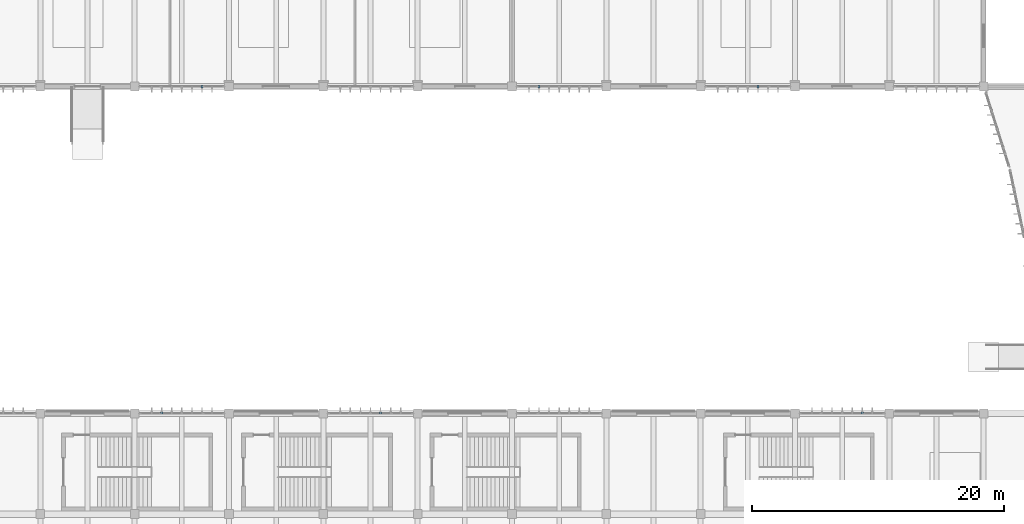
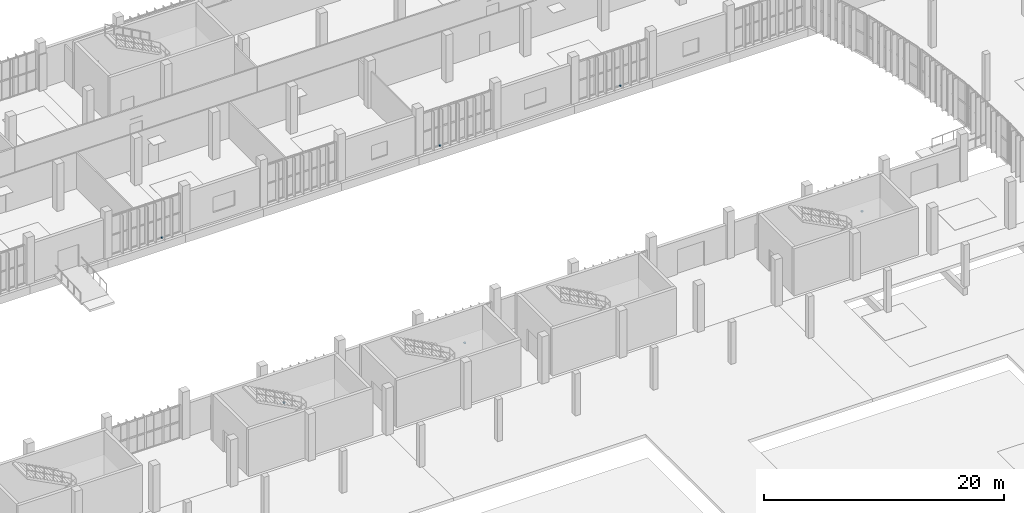
# One storey, part 56 of 72: 6 discrete accessories.
"""IFC4 building model written with IfcOpenShell, lengths in metres."""

from ifc_helpers import new_model, si_unit, direction, frame, origin, origin_2d, place, context, subcontext, project, spatial, rectangle, extrude, material, type_object, element, save


model = new_model("IFC4")

# Units and contexts
model_context = context("Model", 3, precision=1e-05, world=origin(), true_north=direction((0.0, 1.0)))
body_context = subcontext(model_context, "Body", "Model", "MODEL_VIEW")
ifc_project = project(units=[si_unit("LENGTHUNIT", "METRE"), si_unit("AREAUNIT", "SQUARE_METRE"), si_unit("VOLUMEUNIT", "CUBIC_METRE"), si_unit("PLANEANGLEUNIT", "RADIAN"), si_unit("MASSUNIT", "GRAM", prefix="KILO")], contexts=[model_context])

# Site, building, storey
site_placement = place(None, origin())
site = spatial("IfcSite", under=ifc_project, at=site_placement, CompositionType="ELEMENT")
building_placement = place(site_placement, origin())
building = spatial("IfcBuilding", under=site, at=building_placement, Name="Vourika Railside Aquatics Centre", CompositionType="ELEMENT")
storey_placement = place(building_placement, origin())
storey = spatial("IfcBuildingStorey", under=building, at=storey_placement, Name="L00", CompositionType="ELEMENT", Elevation=0.0)

# Discrete accessories
ifc_material = material(Name="Duplex stainless steel EN 1.4462", Category="steel")
discrete_accessory_type = type_object("IfcDiscreteAccessoryType", Name="ACC-BRK-180", PredefinedType="BRACKET", material=ifc_material)
for number, where, z_axis, x_axis, name in (
    (1, (68.14990234375, 66.030029296875, 0.0), (0.0, 0.0, 1.0), (0.0, 1.0, 0.0), "Stainless Fin Shoe Bracket BK-022"),
    (2, (85.550048828125, 66.030029296875, 0.0), (0.0, 0.0, 1.0), (0.0, 1.0, 0.0), "Stainless Fin Shoe Bracket BK-024"),
    (3, (123.85009765625, 66.030029296875, 0.0), (0.0, 0.0, 1.0), (0.0, 1.0, 0.0), "Stainless Fin Shoe Bracket BK-028"),
    (4, (71.35009765625, 91.969970703125, 0.0), (0.0, 0.0, 1.0), (0.0, -1.0, 0.0), "Stainless Fin Shoe Bracket BK-067"),
    (5, (98.14990234375, 91.969970703125, 0.0), (0.0, 0.0, 1.0), (0.0, -1.0, 0.0), "Stainless Fin Shoe Bracket BK-068"),
    (6, (115.550048828125, 91.969970703125, 0.0), (0.0, 0.0, 1.0), (0.0, -1.0, 0.0), "Stainless Fin Shoe Bracket BK-069"),
):
    element("IfcDiscreteAccessory", number, at=place(storey_placement, frame(where, z_axis=z_axis, x_axis=x_axis)), inside=storey, type_object=discrete_accessory_type, Name=name, PredefinedType="BRACKET", context=body_context, shape_type="SweptSolid", body=[
        extrude(rectangle(XDim=0.179931640625, YDim=0.179931640625, at=origin_2d()), origin(), (0.0, 0.0, 1.0), 0.1201171875),
    ])

save(model, "model.ifc")
